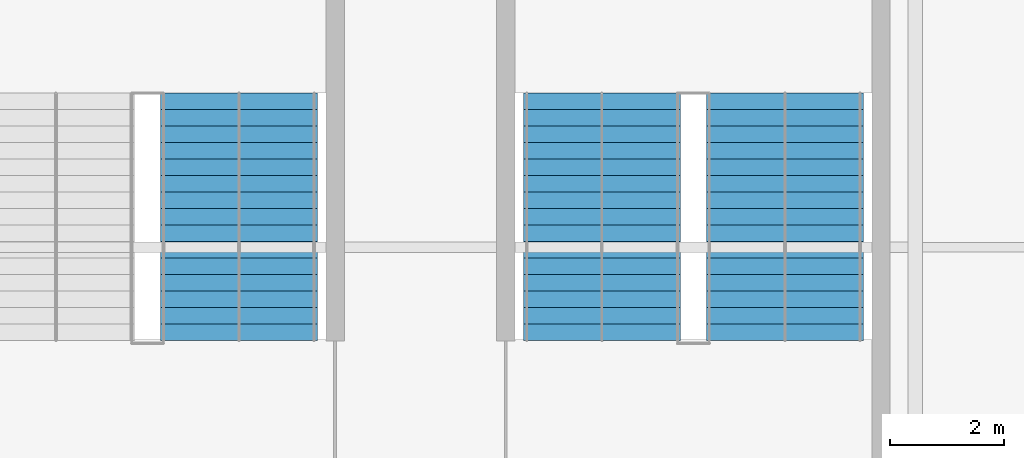
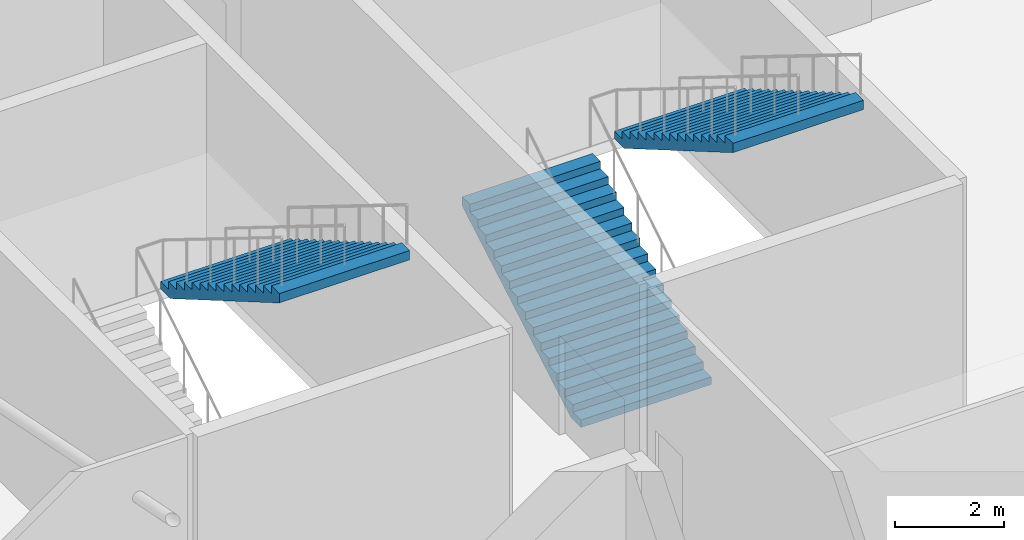
# One storey, part 82 of 111: 3 stair flights, 2 elements without a shape of their own.
"""IFC4 building model written with IfcOpenShell, lengths in metres."""

from ifc_helpers import new_model, si_unit, direction, frame, origin, place, context, subcontext, project, spatial, polygons, material, type_object, element, aggregate, save


model = new_model("IFC4")

# Units and contexts
model_context = context("Model", 3, precision=1e-05, world=origin(), true_north=direction((0.0, 1.0)))
body_context = subcontext(model_context, "Body", "Model", "MODEL_VIEW")
ifc_project = project(units=[si_unit("LENGTHUNIT", "METRE"), si_unit("AREAUNIT", "SQUARE_METRE"), si_unit("VOLUMEUNIT", "CUBIC_METRE"), si_unit("PLANEANGLEUNIT", "RADIAN"), si_unit("MASSUNIT", "GRAM", prefix="KILO")], contexts=[model_context])

# Site, building, storey
site_placement = place(None, origin())
site = spatial("IfcSite", under=ifc_project, at=site_placement, CompositionType="ELEMENT")
building_placement = place(site_placement, origin())
building = spatial("IfcBuilding", under=site, at=building_placement, Name="Kisiwana Market Hall", CompositionType="ELEMENT")
storey_placement = place(building_placement, frame((0.0, 0.0, 11.39990234375)))
storey = spatial("IfcBuildingStorey", under=building, at=storey_placement, Name="L02", CompositionType="ELEMENT", Elevation=11.39990234375)

# Stair, stair flight
ifc_material_1 = material(Name="Concrete C32/40", Category="concrete")
stair_type = type_object("IfcStairType", Name="ST-ESC-5400", PredefinedType="TWO_STRAIGHT_RUN_STAIR", material=ifc_material_1)
stair_1_placement = place(storey_placement, origin())
stair_1 = element("IfcStair", 1, at=stair_1_placement, inside=storey, type_object=stair_type, Name="Escape stair ST-W3-L02", PredefinedType="TWO_STRAIGHT_RUN_STAIR")
ifc_material_2 = material(Name="Concrete C32/40", Category="concrete")
stair_flight_type = type_object("IfcStairFlightType", Name="SF-ESC-5400", PredefinedType="STRAIGHT", material=ifc_material_2)
stair_flight_1_placement = place(storey_placement, frame((15.110107421875, 46.7099609375, 2.7001953125), z_axis=(0.0, 0.0, 1.0), x_axis=(0.0, -1.0, 0.0)))
stair_flight_1 = element("IfcStairFlight", 2, at=stair_flight_1_placement, type_object=stair_flight_type, Name="ST-W3-L02 flight 2", NumberOfRisers=16, NumberOfTreads=15, PredefinedType="STRAIGHT", RiserHeight=0.16875, TreadLength=0.29, context=body_context, shape_type="Tessellation", body=[
    polygons([(0.0, -1.380127, 0.0), (0.0, -0.690125, 0.0), (0.0, -0.000122, 0.0), (0.0, 0.68988, 0.0), (0.0, 1.379883, 0.0), (0.0, -1.380127, 0.168701), (0.0, -0.690125, 0.168701), (0.0, -0.000122, 0.168701), (0.0, 0.68988, 0.168701), (0.0, 1.379883, 0.168701), (0.290039, -1.380127, 0.168701), (0.290039, -0.690125, 0.168701), (0.290039, -0.000122, 0.168701), (0.290039, 0.68988, 0.168701), (0.290039, 1.379883, 0.168701), (0.290039, -1.380127, 0.337402), (0.290039, -0.690125, 0.337402), (0.290039, -0.000122, 0.337402), (0.290039, 0.68988, 0.337402), (0.290039, 1.379883, 0.337402), (0.580078, -1.380127, 0.337402), (0.580078, -0.690125, 0.337402), (0.580078, -0.000122, 0.337402), (0.580078, 0.68988, 0.337402), (0.580078, 1.379883, 0.337402), (0.580078, -1.380127, 0.506348), (0.580078, -0.690125, 0.506348), (0.580078, -0.000122, 0.506348), (0.580078, 0.68988, 0.506348), (0.580078, 1.379883, 0.506348), (0.870117, -1.380127, 0.506348), (0.870117, -0.690125, 0.506348), (0.870117, -0.000122, 0.506348), (0.870117, 0.68988, 0.506348), (0.870117, 1.379883, 0.506348), (0.870117, -1.380127, 0.675049), (0.870117, -0.690125, 0.675049), (0.870117, -0.000122, 0.675049), (0.870117, 0.68988, 0.675049), (0.870117, 1.379883, 0.675049), (1.159912, -1.380127, 0.675049), (1.159912, -0.690125, 0.675049), (1.159912, -0.000122, 0.675049), (1.159912, 0.68988, 0.675049), (1.159912, 1.379883, 0.675049), (1.159912, -1.380127, 0.84375), (1.159912, -0.690125, 0.84375), (1.159912, -0.000122, 0.84375), (1.159912, 0.68988, 0.84375), (1.159912, 1.379883, 0.84375), (1.449951, -1.380127, 0.84375), (1.449951, -0.690125, 0.84375), (1.449951, -0.000122, 0.84375), (1.449951, 0.68988, 0.84375), (1.449951, 1.379883, 0.84375), (1.449951, -1.380127, 1.012451), (1.449951, -0.690125, 1.012451), (1.449951, -0.000122, 1.012451), (1.449951, 0.68988, 1.012451), (1.449951, 1.379883, 1.012451), (1.73999, -1.380127, 1.012451), (1.73999, -0.690125, 1.012451), (1.73999, -0.000122, 1.012451), (1.73999, 0.68988, 1.012451), (1.73999, 1.379883, 1.012451), (1.73999, -1.380127, 1.181152), (1.73999, -0.690125, 1.181152), (1.73999, -0.000122, 1.181152), (1.73999, 0.68988, 1.181152), (1.73999, 1.379883, 1.181152), (2.030029, -1.380127, 1.181152), (2.030029, -0.690125, 1.181152), (2.030029, -0.000122, 1.181152), (2.030029, 0.68988, 1.181152), (2.030029, 1.379883, 1.181152), (2.030029, -1.380127, 1.350098), (2.030029, -0.690125, 1.350098), (2.030029, -0.000122, 1.350098), (2.030029, 0.68988, 1.350098), (2.030029, 1.379883, 1.350098), (2.320068, -1.380127, 1.350098), (2.320068, -0.690125, 1.350098), (2.320068, -0.000122, 1.350098), (2.320068, 0.68988, 1.350098), (2.320068, 1.379883, 1.350098), (2.320068, -1.380127, 1.518799), (2.320068, -0.690125, 1.518799), (2.320068, -0.000122, 1.518799), (2.320068, 0.68988, 1.518799), (2.320068, 1.379883, 1.518799), (2.610107, -1.380127, 1.518799), (2.610107, -0.690125, 1.518799), (2.610107, -0.000122, 1.518799), (2.610107, 0.68988, 1.518799), (2.610107, 1.379883, 1.518799), (2.610107, -1.380127, 1.6875), (2.610107, -0.690125, 1.6875), (2.610107, -0.000122, 1.6875), (2.610107, 0.68988, 1.6875), (2.610107, 1.379883, 1.6875), (2.899902, -1.380127, 1.6875), (2.899902, -0.690125, 1.6875), (2.899902, -0.000122, 1.6875), (2.899902, 0.68988, 1.6875), (2.899902, 1.379883, 1.6875), (2.899902, -1.380127, 1.856201), (2.899902, -0.690125, 1.856201), (2.899902, -0.000122, 1.856201), (2.899902, 0.68988, 1.856201), (2.899902, 1.379883, 1.856201), (3.189941, -1.380127, 1.856201), (3.189941, -0.690125, 1.856201), (3.189941, -0.000122, 1.856201), (3.189941, 0.68988, 1.856201), (3.189941, 1.379883, 1.856201), (3.189941, -1.380127, 2.024902), (3.189941, -0.690125, 2.024902), (3.189941, -0.000122, 2.024902), (3.189941, 0.68988, 2.024902), (3.189941, 1.379883, 2.024902), (3.47998, -1.380127, 2.024902), (3.47998, -0.690125, 2.024902), (3.47998, -0.000122, 2.024902), (3.47998, 0.68988, 2.024902), (3.47998, 1.379883, 2.024902), (3.47998, -1.380127, 2.193848), (3.47998, -0.690125, 2.193848), (3.47998, -0.000122, 2.193848), (3.47998, 0.68988, 2.193848), (3.47998, 1.379883, 2.193848), (3.77002, -1.380127, 2.193848), (3.77002, -0.690125, 2.193848), (3.77002, -0.000122, 2.193848), (3.77002, 0.68988, 2.193848), (3.77002, 1.379883, 2.193848), (3.77002, -1.380127, 2.362549), (3.77002, -0.690125, 2.362549), (3.77002, -0.000122, 2.362549), (3.77002, 0.68988, 2.362549), (3.77002, 1.379883, 2.362549), (4.060059, -1.380127, 2.362549), (4.060059, -0.690125, 2.362549), (4.060059, -0.000122, 2.362549), (4.060059, 0.68988, 2.362549), (4.060059, 1.379883, 2.362549), (4.060059, -1.380127, 2.53125), (4.060059, -0.690125, 2.53125), (4.060059, -0.000122, 2.53125), (4.060059, 0.68988, 2.53125), (4.060059, 1.379883, 2.53125), (4.350098, -1.380127, 2.53125), (4.350098, -0.690125, 2.53125), (4.350098, -0.000122, 2.53125), (4.350098, 0.68988, 2.53125), (4.350098, 1.379883, 2.53125), (4.350098, -1.380127, 2.322998), (4.350098, -0.690125, 2.322998), (4.350098, -0.000122, 2.322998), (4.350098, 0.68988, 2.322998), (4.350098, 1.379883, 2.322998), (0.357666, -1.380127, 0.0), (0.357666, -0.690125, 0.0), (0.357666, -0.000122, 0.0), (0.357666, 0.68988, 0.0), (0.357666, 1.379883, 0.0)], [[[1, 6, 7, 2]], [[2, 7, 8, 3]], [[3, 8, 9, 4]], [[4, 9, 10, 5]], [[6, 11, 12, 7]], [[7, 12, 13, 8]], [[8, 13, 14, 9]], [[9, 14, 15, 10]], [[11, 16, 17, 12]], [[12, 17, 18, 13]], [[13, 18, 19, 14]], [[14, 19, 20, 15]], [[16, 21, 22, 17]], [[17, 22, 23, 18]], [[18, 23, 24, 19]], [[19, 24, 25, 20]], [[21, 26, 27, 22]], [[22, 27, 28, 23]], [[23, 28, 29, 24]], [[24, 29, 30, 25]], [[26, 31, 32, 27]], [[27, 32, 33, 28]], [[28, 33, 34, 29]], [[29, 34, 35, 30]], [[31, 36, 37, 32]], [[32, 37, 38, 33]], [[33, 38, 39, 34]], [[34, 39, 40, 35]], [[36, 41, 42, 37]], [[37, 42, 43, 38]], [[38, 43, 44, 39]], [[39, 44, 45, 40]], [[41, 46, 47, 42]], [[42, 47, 48, 43]], [[43, 48, 49, 44]], [[44, 49, 50, 45]], [[46, 51, 52, 47]], [[47, 52, 53, 48]], [[48, 53, 54, 49]], [[49, 54, 55, 50]], [[51, 56, 57, 52]], [[52, 57, 58, 53]], [[53, 58, 59, 54]], [[54, 59, 60, 55]], [[56, 61, 62, 57]], [[57, 62, 63, 58]], [[58, 63, 64, 59]], [[59, 64, 65, 60]], [[61, 66, 67, 62]], [[62, 67, 68, 63]], [[63, 68, 69, 64]], [[64, 69, 70, 65]], [[66, 71, 72, 67]], [[67, 72, 73, 68]], [[68, 73, 74, 69]], [[69, 74, 75, 70]], [[71, 76, 77, 72]], [[72, 77, 78, 73]], [[73, 78, 79, 74]], [[74, 79, 80, 75]], [[76, 81, 82, 77]], [[77, 82, 83, 78]], [[78, 83, 84, 79]], [[79, 84, 85, 80]], [[81, 86, 87, 82]], [[82, 87, 88, 83]], [[83, 88, 89, 84]], [[84, 89, 90, 85]], [[86, 91, 92, 87]], [[87, 92, 93, 88]], [[88, 93, 94, 89]], [[89, 94, 95, 90]], [[91, 96, 97, 92]], [[92, 97, 98, 93]], [[93, 98, 99, 94]], [[94, 99, 100, 95]], [[96, 101, 102, 97]], [[97, 102, 103, 98]], [[98, 103, 104, 99]], [[99, 104, 105, 100]], [[101, 106, 107, 102]], [[102, 107, 108, 103]], [[103, 108, 109, 104]], [[104, 109, 110, 105]], [[106, 111, 112, 107]], [[107, 112, 113, 108]], [[108, 113, 114, 109]], [[109, 114, 115, 110]], [[111, 116, 117, 112]], [[112, 117, 118, 113]], [[113, 118, 119, 114]], [[114, 119, 120, 115]], [[116, 121, 122, 117]], [[117, 122, 123, 118]], [[118, 123, 124, 119]], [[119, 124, 125, 120]], [[121, 126, 127, 122]], [[122, 127, 128, 123]], [[123, 128, 129, 124]], [[124, 129, 130, 125]], [[126, 131, 132, 127]], [[127, 132, 133, 128]], [[128, 133, 134, 129]], [[129, 134, 135, 130]], [[131, 136, 137, 132]], [[132, 137, 138, 133]], [[133, 138, 139, 134]], [[134, 139, 140, 135]], [[136, 141, 142, 137]], [[137, 142, 143, 138]], [[138, 143, 144, 139]], [[139, 144, 145, 140]], [[141, 146, 147, 142]], [[142, 147, 148, 143]], [[143, 148, 149, 144]], [[144, 149, 150, 145]], [[146, 151, 152, 147]], [[147, 152, 153, 148]], [[148, 153, 154, 149]], [[149, 154, 155, 150]], [[151, 156, 157, 152]], [[152, 157, 158, 153]], [[153, 158, 159, 154]], [[154, 159, 160, 155]], [[156, 161, 162, 157]], [[157, 162, 163, 158]], [[158, 163, 164, 159]], [[159, 164, 165, 160]], [[161, 1, 2, 162]], [[162, 2, 3, 163]], [[163, 3, 4, 164]], [[164, 4, 5, 165]], [[161, 156, 151, 146, 141, 136, 131, 126, 121, 116, 111, 106, 101, 96, 91, 86, 81, 76, 71, 66, 61, 56, 51, 46, 41, 36, 31, 26, 21, 16, 11, 6, 1]], [[5, 10, 15, 20, 25, 30, 35, 40, 45, 50, 55, 60, 65, 70, 75, 80, 85, 90, 95, 100, 105, 110, 115, 120, 125, 130, 135, 140, 145, 150, 155, 160, 165]]], closed=True),
])
aggregate(stair_1, [stair_flight_1])

# Stair, stair flights
stair_2_placement = place(storey_placement, origin())
stair_2 = element("IfcStair", 3, at=stair_2_placement, inside=storey, type_object=stair_type, Name="Escape stair ST-W7-L02", PredefinedType="TWO_STRAIGHT_RUN_STAIR")
stair_flight_2_placement = place(storey_placement, frame((21.489990234375, 42.360107421875, 0.0), z_axis=(0.0, 0.0, 1.0), x_axis=(0.0, 1.0, 0.0)))
stair_flight_2 = element("IfcStairFlight", 4, at=stair_flight_2_placement, type_object=stair_flight_type, Name="ST-W7-L02 flight 1", NumberOfRisers=16, NumberOfTreads=15, PredefinedType="STRAIGHT", RiserHeight=0.16875, TreadLength=0.29, context=body_context, shape_type="Tessellation", body=[
    polygons([(0.0, -1.380127, 0.0), (0.0, -0.690125, 0.0), (0.0, -0.000122, 0.0), (0.0, 0.68988, 0.0), (0.0, 1.379883, 0.0), (0.0, -1.380127, 0.168701), (0.0, -0.690125, 0.168701), (0.0, -0.000122, 0.168701), (0.0, 0.68988, 0.168701), (0.0, 1.379883, 0.168701), (0.290039, -1.380127, 0.168701), (0.290039, -0.690125, 0.168701), (0.290039, -0.000122, 0.168701), (0.290039, 0.68988, 0.168701), (0.290039, 1.379883, 0.168701), (0.290039, -1.380127, 0.337402), (0.290039, -0.690125, 0.337402), (0.290039, -0.000122, 0.337402), (0.290039, 0.68988, 0.337402), (0.290039, 1.379883, 0.337402), (0.580078, -1.380127, 0.337402), (0.580078, -0.690125, 0.337402), (0.580078, -0.000122, 0.337402), (0.580078, 0.68988, 0.337402), (0.580078, 1.379883, 0.337402), (0.580078, -1.380127, 0.506348), (0.580078, -0.690125, 0.506348), (0.580078, -0.000122, 0.506348), (0.580078, 0.68988, 0.506348), (0.580078, 1.379883, 0.506348), (0.870117, -1.380127, 0.506348), (0.870117, -0.690125, 0.506348), (0.870117, -0.000122, 0.506348), (0.870117, 0.68988, 0.506348), (0.870117, 1.379883, 0.506348), (0.870117, -1.380127, 0.675049), (0.870117, -0.690125, 0.675049), (0.870117, -0.000122, 0.675049), (0.870117, 0.68988, 0.675049), (0.870117, 1.379883, 0.675049), (1.159912, -1.380127, 0.675049), (1.159912, -0.690125, 0.675049), (1.159912, -0.000122, 0.675049), (1.159912, 0.68988, 0.675049), (1.159912, 1.379883, 0.675049), (1.159912, -1.380127, 0.84375), (1.159912, -0.690125, 0.84375), (1.159912, -0.000122, 0.84375), (1.159912, 0.68988, 0.84375), (1.159912, 1.379883, 0.84375), (1.449951, -1.380127, 0.84375), (1.449951, -0.690125, 0.84375), (1.449951, -0.000122, 0.84375), (1.449951, 0.68988, 0.84375), (1.449951, 1.379883, 0.84375), (1.449951, -1.380127, 1.012451), (1.449951, -0.690125, 1.012451), (1.449951, -0.000122, 1.012451), (1.449951, 0.68988, 1.012451), (1.449951, 1.379883, 1.012451), (1.73999, -1.380127, 1.012451), (1.73999, -0.690125, 1.012451), (1.73999, -0.000122, 1.012451), (1.73999, 0.68988, 1.012451), (1.73999, 1.379883, 1.012451), (1.73999, -1.380127, 1.181152), (1.73999, -0.690125, 1.181152), (1.73999, -0.000122, 1.181152), (1.73999, 0.68988, 1.181152), (1.73999, 1.379883, 1.181152), (2.030029, -1.380127, 1.181152), (2.030029, -0.690125, 1.181152), (2.030029, -0.000122, 1.181152), (2.030029, 0.68988, 1.181152), (2.030029, 1.379883, 1.181152), (2.030029, -1.380127, 1.350098), (2.030029, -0.690125, 1.350098), (2.030029, -0.000122, 1.350098), (2.030029, 0.68988, 1.350098), (2.030029, 1.379883, 1.350098), (2.320068, -1.380127, 1.350098), (2.320068, -0.690125, 1.350098), (2.320068, -0.000122, 1.350098), (2.320068, 0.68988, 1.350098), (2.320068, 1.379883, 1.350098), (2.320068, -1.380127, 1.518799), (2.320068, -0.690125, 1.518799), (2.320068, -0.000122, 1.518799), (2.320068, 0.68988, 1.518799), (2.320068, 1.379883, 1.518799), (2.610107, -1.380127, 1.518799), (2.610107, -0.690125, 1.518799), (2.610107, -0.000122, 1.518799), (2.610107, 0.68988, 1.518799), (2.610107, 1.379883, 1.518799), (2.610107, -1.380127, 1.6875), (2.610107, -0.690125, 1.6875), (2.610107, -0.000122, 1.6875), (2.610107, 0.68988, 1.6875), (2.610107, 1.379883, 1.6875), (2.899902, -1.380127, 1.6875), (2.899902, -0.690125, 1.6875), (2.899902, -0.000122, 1.6875), (2.899902, 0.68988, 1.6875), (2.899902, 1.379883, 1.6875), (2.899902, -1.380127, 1.856201), (2.899902, -0.690125, 1.856201), (2.899902, -0.000122, 1.856201), (2.899902, 0.68988, 1.856201), (2.899902, 1.379883, 1.856201), (3.189941, -1.380127, 1.856201), (3.189941, -0.690125, 1.856201), (3.189941, -0.000122, 1.856201), (3.189941, 0.68988, 1.856201), (3.189941, 1.379883, 1.856201), (3.189941, -1.380127, 2.024902), (3.189941, -0.690125, 2.024902), (3.189941, -0.000122, 2.024902), (3.189941, 0.68988, 2.024902), (3.189941, 1.379883, 2.024902), (3.47998, -1.380127, 2.024902), (3.47998, -0.690125, 2.024902), (3.47998, -0.000122, 2.024902), (3.47998, 0.68988, 2.024902), (3.47998, 1.379883, 2.024902), (3.47998, -1.380127, 2.193848), (3.47998, -0.690125, 2.193848), (3.47998, -0.000122, 2.193848), (3.47998, 0.68988, 2.193848), (3.47998, 1.379883, 2.193848), (3.77002, -1.380127, 2.193848), (3.77002, -0.690125, 2.193848), (3.77002, -0.000122, 2.193848), (3.77002, 0.68988, 2.193848), (3.77002, 1.379883, 2.193848), (3.77002, -1.380127, 2.362549), (3.77002, -0.690125, 2.362549), (3.77002, -0.000122, 2.362549), (3.77002, 0.68988, 2.362549), (3.77002, 1.379883, 2.362549), (4.060059, -1.380127, 2.362549), (4.060059, -0.690125, 2.362549), (4.060059, -0.000122, 2.362549), (4.060059, 0.68988, 2.362549), (4.060059, 1.379883, 2.362549), (4.060059, -1.380127, 2.53125), (4.060059, -0.690125, 2.53125), (4.060059, -0.000122, 2.53125), (4.060059, 0.68988, 2.53125), (4.060059, 1.379883, 2.53125), (4.350098, -1.380127, 2.53125), (4.350098, -0.690125, 2.53125), (4.350098, -0.000122, 2.53125), (4.350098, 0.68988, 2.53125), (4.350098, 1.379883, 2.53125), (4.350098, -1.380127, 2.322998), (4.350098, -0.690125, 2.322998), (4.350098, -0.000122, 2.322998), (4.350098, 0.68988, 2.322998), (4.350098, 1.379883, 2.322998), (0.357666, -1.380127, 0.0), (0.357666, -0.690125, 0.0), (0.357666, -0.000122, 0.0), (0.357666, 0.68988, 0.0), (0.357666, 1.379883, 0.0)], [[[1, 6, 7, 2]], [[2, 7, 8, 3]], [[3, 8, 9, 4]], [[4, 9, 10, 5]], [[6, 11, 12, 7]], [[7, 12, 13, 8]], [[8, 13, 14, 9]], [[9, 14, 15, 10]], [[11, 16, 17, 12]], [[12, 17, 18, 13]], [[13, 18, 19, 14]], [[14, 19, 20, 15]], [[16, 21, 22, 17]], [[17, 22, 23, 18]], [[18, 23, 24, 19]], [[19, 24, 25, 20]], [[21, 26, 27, 22]], [[22, 27, 28, 23]], [[23, 28, 29, 24]], [[24, 29, 30, 25]], [[26, 31, 32, 27]], [[27, 32, 33, 28]], [[28, 33, 34, 29]], [[29, 34, 35, 30]], [[31, 36, 37, 32]], [[32, 37, 38, 33]], [[33, 38, 39, 34]], [[34, 39, 40, 35]], [[36, 41, 42, 37]], [[37, 42, 43, 38]], [[38, 43, 44, 39]], [[39, 44, 45, 40]], [[41, 46, 47, 42]], [[42, 47, 48, 43]], [[43, 48, 49, 44]], [[44, 49, 50, 45]], [[46, 51, 52, 47]], [[47, 52, 53, 48]], [[48, 53, 54, 49]], [[49, 54, 55, 50]], [[51, 56, 57, 52]], [[52, 57, 58, 53]], [[53, 58, 59, 54]], [[54, 59, 60, 55]], [[56, 61, 62, 57]], [[57, 62, 63, 58]], [[58, 63, 64, 59]], [[59, 64, 65, 60]], [[61, 66, 67, 62]], [[62, 67, 68, 63]], [[63, 68, 69, 64]], [[64, 69, 70, 65]], [[66, 71, 72, 67]], [[67, 72, 73, 68]], [[68, 73, 74, 69]], [[69, 74, 75, 70]], [[71, 76, 77, 72]], [[72, 77, 78, 73]], [[73, 78, 79, 74]], [[74, 79, 80, 75]], [[76, 81, 82, 77]], [[77, 82, 83, 78]], [[78, 83, 84, 79]], [[79, 84, 85, 80]], [[81, 86, 87, 82]], [[82, 87, 88, 83]], [[83, 88, 89, 84]], [[84, 89, 90, 85]], [[86, 91, 92, 87]], [[87, 92, 93, 88]], [[88, 93, 94, 89]], [[89, 94, 95, 90]], [[91, 96, 97, 92]], [[92, 97, 98, 93]], [[93, 98, 99, 94]], [[94, 99, 100, 95]], [[96, 101, 102, 97]], [[97, 102, 103, 98]], [[98, 103, 104, 99]], [[99, 104, 105, 100]], [[101, 106, 107, 102]], [[102, 107, 108, 103]], [[103, 108, 109, 104]], [[104, 109, 110, 105]], [[106, 111, 112, 107]], [[107, 112, 113, 108]], [[108, 113, 114, 109]], [[109, 114, 115, 110]], [[111, 116, 117, 112]], [[112, 117, 118, 113]], [[113, 118, 119, 114]], [[114, 119, 120, 115]], [[116, 121, 122, 117]], [[117, 122, 123, 118]], [[118, 123, 124, 119]], [[119, 124, 125, 120]], [[121, 126, 127, 122]], [[122, 127, 128, 123]], [[123, 128, 129, 124]], [[124, 129, 130, 125]], [[126, 131, 132, 127]], [[127, 132, 133, 128]], [[128, 133, 134, 129]], [[129, 134, 135, 130]], [[131, 136, 137, 132]], [[132, 137, 138, 133]], [[133, 138, 139, 134]], [[134, 139, 140, 135]], [[136, 141, 142, 137]], [[137, 142, 143, 138]], [[138, 143, 144, 139]], [[139, 144, 145, 140]], [[141, 146, 147, 142]], [[142, 147, 148, 143]], [[143, 148, 149, 144]], [[144, 149, 150, 145]], [[146, 151, 152, 147]], [[147, 152, 153, 148]], [[148, 153, 154, 149]], [[149, 154, 155, 150]], [[151, 156, 157, 152]], [[152, 157, 158, 153]], [[153, 158, 159, 154]], [[154, 159, 160, 155]], [[156, 161, 162, 157]], [[157, 162, 163, 158]], [[158, 163, 164, 159]], [[159, 164, 165, 160]], [[161, 1, 2, 162]], [[162, 2, 3, 163]], [[163, 3, 4, 164]], [[164, 4, 5, 165]], [[161, 156, 151, 146, 141, 136, 131, 126, 121, 116, 111, 106, 101, 96, 91, 86, 81, 76, 71, 66, 61, 56, 51, 46, 41, 36, 31, 26, 21, 16, 11, 6, 1]], [[5, 10, 15, 20, 25, 30, 35, 40, 45, 50, 55, 60, 65, 70, 75, 80, 85, 90, 95, 100, 105, 110, 115, 120, 125, 130, 135, 140, 145, 150, 155, 160, 165]]], closed=True),
])
stair_flight_3_placement = place(storey_placement, frame((24.7099609375, 46.7099609375, 2.7001953125), z_axis=(0.0, 0.0, 1.0), x_axis=(0.0, -1.0, 0.0)))
stair_flight_3 = element("IfcStairFlight", 5, at=stair_flight_3_placement, type_object=stair_flight_type, Name="ST-W7-L02 flight 2", NumberOfRisers=16, NumberOfTreads=15, PredefinedType="STRAIGHT", RiserHeight=0.16875, TreadLength=0.29, context=body_context, shape_type="Tessellation", body=[
    polygons([(0.0, -1.380127, 0.0), (0.0, -0.690125, 0.0), (0.0, -0.000122, 0.0), (0.0, 0.68988, 0.0), (0.0, 1.379883, 0.0), (0.0, -1.380127, 0.168701), (0.0, -0.690125, 0.168701), (0.0, -0.000122, 0.168701), (0.0, 0.68988, 0.168701), (0.0, 1.379883, 0.168701), (0.290039, -1.380127, 0.168701), (0.290039, -0.690125, 0.168701), (0.290039, -0.000122, 0.168701), (0.290039, 0.68988, 0.168701), (0.290039, 1.379883, 0.168701), (0.290039, -1.380127, 0.337402), (0.290039, -0.690125, 0.337402), (0.290039, -0.000122, 0.337402), (0.290039, 0.68988, 0.337402), (0.290039, 1.379883, 0.337402), (0.580078, -1.380127, 0.337402), (0.580078, -0.690125, 0.337402), (0.580078, -0.000122, 0.337402), (0.580078, 0.68988, 0.337402), (0.580078, 1.379883, 0.337402), (0.580078, -1.380127, 0.506348), (0.580078, -0.690125, 0.506348), (0.580078, -0.000122, 0.506348), (0.580078, 0.68988, 0.506348), (0.580078, 1.379883, 0.506348), (0.870117, -1.380127, 0.506348), (0.870117, -0.690125, 0.506348), (0.870117, -0.000122, 0.506348), (0.870117, 0.68988, 0.506348), (0.870117, 1.379883, 0.506348), (0.870117, -1.380127, 0.675049), (0.870117, -0.690125, 0.675049), (0.870117, -0.000122, 0.675049), (0.870117, 0.68988, 0.675049), (0.870117, 1.379883, 0.675049), (1.159912, -1.380127, 0.675049), (1.159912, -0.690125, 0.675049), (1.159912, -0.000122, 0.675049), (1.159912, 0.68988, 0.675049), (1.159912, 1.379883, 0.675049), (1.159912, -1.380127, 0.84375), (1.159912, -0.690125, 0.84375), (1.159912, -0.000122, 0.84375), (1.159912, 0.68988, 0.84375), (1.159912, 1.379883, 0.84375), (1.449951, -1.380127, 0.84375), (1.449951, -0.690125, 0.84375), (1.449951, -0.000122, 0.84375), (1.449951, 0.68988, 0.84375), (1.449951, 1.379883, 0.84375), (1.449951, -1.380127, 1.012451), (1.449951, -0.690125, 1.012451), (1.449951, -0.000122, 1.012451), (1.449951, 0.68988, 1.012451), (1.449951, 1.379883, 1.012451), (1.73999, -1.380127, 1.012451), (1.73999, -0.690125, 1.012451), (1.73999, -0.000122, 1.012451), (1.73999, 0.68988, 1.012451), (1.73999, 1.379883, 1.012451), (1.73999, -1.380127, 1.181152), (1.73999, -0.690125, 1.181152), (1.73999, -0.000122, 1.181152), (1.73999, 0.68988, 1.181152), (1.73999, 1.379883, 1.181152), (2.030029, -1.380127, 1.181152), (2.030029, -0.690125, 1.181152), (2.030029, -0.000122, 1.181152), (2.030029, 0.68988, 1.181152), (2.030029, 1.379883, 1.181152), (2.030029, -1.380127, 1.350098), (2.030029, -0.690125, 1.350098), (2.030029, -0.000122, 1.350098), (2.030029, 0.68988, 1.350098), (2.030029, 1.379883, 1.350098), (2.320068, -1.380127, 1.350098), (2.320068, -0.690125, 1.350098), (2.320068, -0.000122, 1.350098), (2.320068, 0.68988, 1.350098), (2.320068, 1.379883, 1.350098), (2.320068, -1.380127, 1.518799), (2.320068, -0.690125, 1.518799), (2.320068, -0.000122, 1.518799), (2.320068, 0.68988, 1.518799), (2.320068, 1.379883, 1.518799), (2.610107, -1.380127, 1.518799), (2.610107, -0.690125, 1.518799), (2.610107, -0.000122, 1.518799), (2.610107, 0.68988, 1.518799), (2.610107, 1.379883, 1.518799), (2.610107, -1.380127, 1.6875), (2.610107, -0.690125, 1.6875), (2.610107, -0.000122, 1.6875), (2.610107, 0.68988, 1.6875), (2.610107, 1.379883, 1.6875), (2.899902, -1.380127, 1.6875), (2.899902, -0.690125, 1.6875), (2.899902, -0.000122, 1.6875), (2.899902, 0.68988, 1.6875), (2.899902, 1.379883, 1.6875), (2.899902, -1.380127, 1.856201), (2.899902, -0.690125, 1.856201), (2.899902, -0.000122, 1.856201), (2.899902, 0.68988, 1.856201), (2.899902, 1.379883, 1.856201), (3.189941, -1.380127, 1.856201), (3.189941, -0.690125, 1.856201), (3.189941, -0.000122, 1.856201), (3.189941, 0.68988, 1.856201), (3.189941, 1.379883, 1.856201), (3.189941, -1.380127, 2.024902), (3.189941, -0.690125, 2.024902), (3.189941, -0.000122, 2.024902), (3.189941, 0.68988, 2.024902), (3.189941, 1.379883, 2.024902), (3.47998, -1.380127, 2.024902), (3.47998, -0.690125, 2.024902), (3.47998, -0.000122, 2.024902), (3.47998, 0.68988, 2.024902), (3.47998, 1.379883, 2.024902), (3.47998, -1.380127, 2.193848), (3.47998, -0.690125, 2.193848), (3.47998, -0.000122, 2.193848), (3.47998, 0.68988, 2.193848), (3.47998, 1.379883, 2.193848), (3.77002, -1.380127, 2.193848), (3.77002, -0.690125, 2.193848), (3.77002, -0.000122, 2.193848), (3.77002, 0.68988, 2.193848), (3.77002, 1.379883, 2.193848), (3.77002, -1.380127, 2.362549), (3.77002, -0.690125, 2.362549), (3.77002, -0.000122, 2.362549), (3.77002, 0.68988, 2.362549), (3.77002, 1.379883, 2.362549), (4.060059, -1.380127, 2.362549), (4.060059, -0.690125, 2.362549), (4.060059, -0.000122, 2.362549), (4.060059, 0.68988, 2.362549), (4.060059, 1.379883, 2.362549), (4.060059, -1.380127, 2.53125), (4.060059, -0.690125, 2.53125), (4.060059, -0.000122, 2.53125), (4.060059, 0.68988, 2.53125), (4.060059, 1.379883, 2.53125), (4.350098, -1.380127, 2.53125), (4.350098, -0.690125, 2.53125), (4.350098, -0.000122, 2.53125), (4.350098, 0.68988, 2.53125), (4.350098, 1.379883, 2.53125), (4.350098, -1.380127, 2.322998), (4.350098, -0.690125, 2.322998), (4.350098, -0.000122, 2.322998), (4.350098, 0.68988, 2.322998), (4.350098, 1.379883, 2.322998), (0.357666, -1.380127, 0.0), (0.357666, -0.690125, 0.0), (0.357666, -0.000122, 0.0), (0.357666, 0.68988, 0.0), (0.357666, 1.379883, 0.0)], [[[1, 6, 7, 2]], [[2, 7, 8, 3]], [[3, 8, 9, 4]], [[4, 9, 10, 5]], [[6, 11, 12, 7]], [[7, 12, 13, 8]], [[8, 13, 14, 9]], [[9, 14, 15, 10]], [[11, 16, 17, 12]], [[12, 17, 18, 13]], [[13, 18, 19, 14]], [[14, 19, 20, 15]], [[16, 21, 22, 17]], [[17, 22, 23, 18]], [[18, 23, 24, 19]], [[19, 24, 25, 20]], [[21, 26, 27, 22]], [[22, 27, 28, 23]], [[23, 28, 29, 24]], [[24, 29, 30, 25]], [[26, 31, 32, 27]], [[27, 32, 33, 28]], [[28, 33, 34, 29]], [[29, 34, 35, 30]], [[31, 36, 37, 32]], [[32, 37, 38, 33]], [[33, 38, 39, 34]], [[34, 39, 40, 35]], [[36, 41, 42, 37]], [[37, 42, 43, 38]], [[38, 43, 44, 39]], [[39, 44, 45, 40]], [[41, 46, 47, 42]], [[42, 47, 48, 43]], [[43, 48, 49, 44]], [[44, 49, 50, 45]], [[46, 51, 52, 47]], [[47, 52, 53, 48]], [[48, 53, 54, 49]], [[49, 54, 55, 50]], [[51, 56, 57, 52]], [[52, 57, 58, 53]], [[53, 58, 59, 54]], [[54, 59, 60, 55]], [[56, 61, 62, 57]], [[57, 62, 63, 58]], [[58, 63, 64, 59]], [[59, 64, 65, 60]], [[61, 66, 67, 62]], [[62, 67, 68, 63]], [[63, 68, 69, 64]], [[64, 69, 70, 65]], [[66, 71, 72, 67]], [[67, 72, 73, 68]], [[68, 73, 74, 69]], [[69, 74, 75, 70]], [[71, 76, 77, 72]], [[72, 77, 78, 73]], [[73, 78, 79, 74]], [[74, 79, 80, 75]], [[76, 81, 82, 77]], [[77, 82, 83, 78]], [[78, 83, 84, 79]], [[79, 84, 85, 80]], [[81, 86, 87, 82]], [[82, 87, 88, 83]], [[83, 88, 89, 84]], [[84, 89, 90, 85]], [[86, 91, 92, 87]], [[87, 92, 93, 88]], [[88, 93, 94, 89]], [[89, 94, 95, 90]], [[91, 96, 97, 92]], [[92, 97, 98, 93]], [[93, 98, 99, 94]], [[94, 99, 100, 95]], [[96, 101, 102, 97]], [[97, 102, 103, 98]], [[98, 103, 104, 99]], [[99, 104, 105, 100]], [[101, 106, 107, 102]], [[102, 107, 108, 103]], [[103, 108, 109, 104]], [[104, 109, 110, 105]], [[106, 111, 112, 107]], [[107, 112, 113, 108]], [[108, 113, 114, 109]], [[109, 114, 115, 110]], [[111, 116, 117, 112]], [[112, 117, 118, 113]], [[113, 118, 119, 114]], [[114, 119, 120, 115]], [[116, 121, 122, 117]], [[117, 122, 123, 118]], [[118, 123, 124, 119]], [[119, 124, 125, 120]], [[121, 126, 127, 122]], [[122, 127, 128, 123]], [[123, 128, 129, 124]], [[124, 129, 130, 125]], [[126, 131, 132, 127]], [[127, 132, 133, 128]], [[128, 133, 134, 129]], [[129, 134, 135, 130]], [[131, 136, 137, 132]], [[132, 137, 138, 133]], [[133, 138, 139, 134]], [[134, 139, 140, 135]], [[136, 141, 142, 137]], [[137, 142, 143, 138]], [[138, 143, 144, 139]], [[139, 144, 145, 140]], [[141, 146, 147, 142]], [[142, 147, 148, 143]], [[143, 148, 149, 144]], [[144, 149, 150, 145]], [[146, 151, 152, 147]], [[147, 152, 153, 148]], [[148, 153, 154, 149]], [[149, 154, 155, 150]], [[151, 156, 157, 152]], [[152, 157, 158, 153]], [[153, 158, 159, 154]], [[154, 159, 160, 155]], [[156, 161, 162, 157]], [[157, 162, 163, 158]], [[158, 163, 164, 159]], [[159, 164, 165, 160]], [[161, 1, 2, 162]], [[162, 2, 3, 163]], [[163, 3, 4, 164]], [[164, 4, 5, 165]], [[161, 156, 151, 146, 141, 136, 131, 126, 121, 116, 111, 106, 101, 96, 91, 86, 81, 76, 71, 66, 61, 56, 51, 46, 41, 36, 31, 26, 21, 16, 11, 6, 1]], [[5, 10, 15, 20, 25, 30, 35, 40, 45, 50, 55, 60, 65, 70, 75, 80, 85, 90, 95, 100, 105, 110, 115, 120, 125, 130, 135, 140, 145, 150, 155, 160, 165]]], closed=True),
])
aggregate(stair_2, [stair_flight_2, stair_flight_3])

save(model, "model.ifc")
